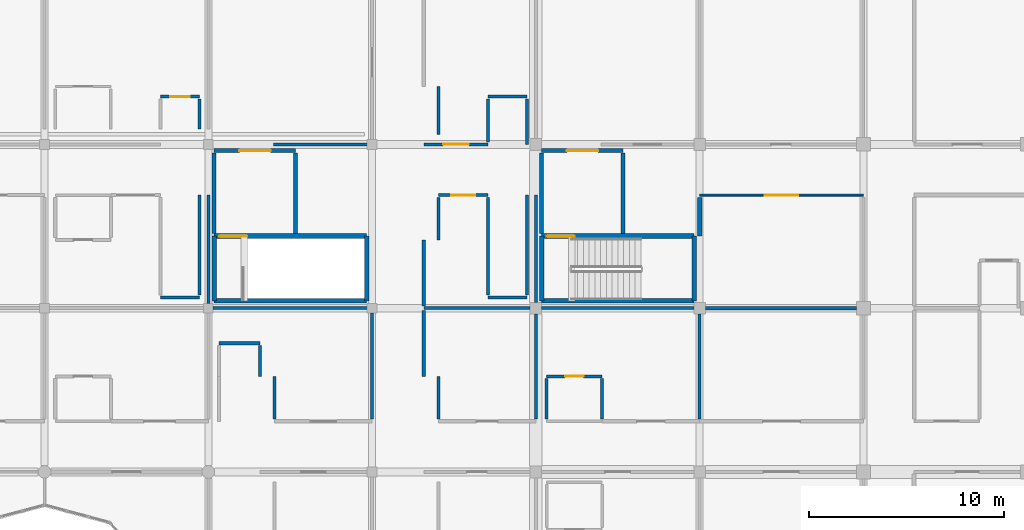
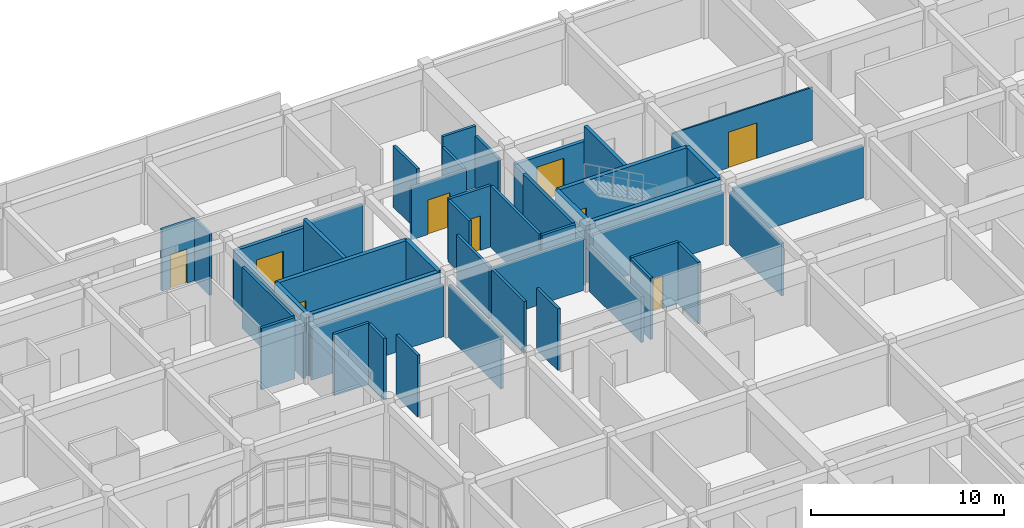
# One storey, part 88 of 119: 49 walls, 9 doors, 9 openings.
"""IFC4 building model written with IfcOpenShell, lengths in metres."""

import ifcopenshell
import ifcopenshell.guid

model = None  # the IFC model being written
_history = None  # IfcOwnerHistory: only IFC2X3 demands one
_inside = {}  # id of a spatial element -> (the spatial element, [elements in it])
_under = {}  # id of a project, library or spatial element -> (it, [spatial elements below it])
_declared = {}  # id of a project -> (the project, [libraries it declares])
_typed = {}  # id of a type object -> (the type object, [elements of that type])
_made_of = {}  # id of a material, layer set ... -> (it, [elements and type objects made of it])


def new_model(schema):
    """Start an empty IFC model of exactly this schema.

    Asked for "IFC4X3", IfcOpenShell would pick the latest addendum, in which some entities
    have other attributes; the version numbers below select the first issue.
    IFC2X3 requires an IfcOwnerHistory on every rooted entity: one is made here for all.
    """
    global model, _history
    if schema == "IFC4X3":
        model = ifcopenshell.file(schema_version=(4, 3, 0, 0))
    else:
        model = ifcopenshell.file(schema=schema)
    _inside.clear()
    _under.clear()
    _declared.clear()
    _typed.clear()
    _made_of.clear()
    _history = None
    if model.schema == "IFC2X3":
        org = make("IfcOrganization", Name="unknown")
        user = make(
            "IfcPersonAndOrganization",
            ThePerson=make("IfcPerson", FamilyName="unknown"),
            TheOrganization=org,
        )
        app = make(
            "IfcApplication",
            ApplicationDeveloper=org,
            Version="unknown",
            ApplicationFullName="unknown",
            ApplicationIdentifier="unknown",
        )
        _history = make(
            "IfcOwnerHistory",
            OwningUser=user,
            OwningApplication=app,
            ChangeAction="ADDED",
            CreationDate=0,
        )
    return model


def make(cls, **values):
    """One entity of the class cls with the attributes given. An attribute that is None is left unset."""
    return model.create_entity(
        cls, **{name: value for name, value in values.items() if value is not None}
    )


def rooted(cls, **values):
    """An entity with a GlobalId (a new one), such as an element, a storey or a relation."""
    return make(cls, GlobalId=ifcopenshell.guid.new(), OwnerHistory=_history, **values)


def si_unit(unit_type, name, prefix=None):
    """IfcSIUnit, for example si_unit("LENGTHUNIT", "METRE", prefix="MILLI")."""
    return make("IfcSIUnit", UnitType=unit_type, Prefix=prefix, Name=name)


def assignment(units):
    """IfcUnitAssignment: the units of a project."""
    return None if units is None else make("IfcUnitAssignment", Units=units)


def point(xyz):
    """IfcCartesianPoint."""
    return None if xyz is None else make("IfcCartesianPoint", Coordinates=xyz)


def direction(xyz):
    """IfcDirection."""
    return None if xyz is None else make("IfcDirection", DirectionRatios=xyz)


def frame(location, z_axis=None, x_axis=None):
    """IfcAxis2Placement3D, a coordinate frame: its origin and axes. An axis left out is left unset."""
    return make(
        "IfcAxis2Placement3D",
        Location=point(location),
        Axis=direction(z_axis),
        RefDirection=direction(x_axis),
    )


def frame_2d(location, x_axis=None):
    """IfcAxis2Placement2D, a coordinate frame in the plane: its origin and x axis."""
    return make(
        "IfcAxis2Placement2D", Location=point(location), RefDirection=direction(x_axis)
    )


def origin():
    """The frame at (0, 0, 0) with its axes left unset."""
    return frame((0.0, 0.0, 0.0))


def place(relative_to, where):
    """IfcLocalPlacement: puts the frame where relative to a parent placement (None: the world)."""
    return make(
        "IfcLocalPlacement", PlacementRelTo=relative_to, RelativePlacement=where
    )


def context(
    kind, dimensions, precision=None, world=None, true_north=None, identifier=None
):
    """IfcGeometricRepresentationContext, for example the 3D "Model" context."""
    return make(
        "IfcGeometricRepresentationContext",
        ContextIdentifier=identifier,
        ContextType=kind,
        CoordinateSpaceDimension=dimensions,
        Precision=precision,
        WorldCoordinateSystem=world,
        TrueNorth=true_north,
    )


def subcontext(parent, identifier, kind, view, scale=None):
    """IfcGeometricRepresentationSubContext, for example "Body" below "Model"."""
    return make(
        "IfcGeometricRepresentationSubContext",
        ContextIdentifier=identifier,
        ContextType=kind,
        ParentContext=parent,
        TargetScale=scale,
        TargetView=view,
    )


def project(units=None, contexts=None):
    """IfcProject with its units and contexts."""
    return rooted(
        "IfcProject",
        Name="project",
        RepresentationContexts=contexts,
        UnitsInContext=assignment(units),
    )


def spatial(cls, under=None, at=None, **own):
    """A site, building, storey or space (cls), placed at a placement, below another one or the project."""
    s = rooted(cls, ObjectPlacement=at, **own)
    if under is not None:
        _under.setdefault(under.id(), (under, []))[1].append(s)
    return s


def profile(cls, at=None, kind="AREA", **sizes):
    """A parametric profile (cls). Its sizes go by their IFC names, for example OverallWidth=200.0."""
    return make(cls, ProfileType=kind, Position=at, **sizes)


def rectangle(**sizes):
    """IfcRectangleProfileDef."""
    return profile("IfcRectangleProfileDef", **sizes)


def extrude(swept, where, along, depth):
    """IfcExtrudedAreaSolid: the profile swept, set in the frame where, extruded along a direction by depth."""
    return make(
        "IfcExtrudedAreaSolid",
        SweptArea=swept,
        Position=where,
        ExtrudedDirection=direction(along),
        Depth=depth,
    )


def shape(context_of_items, identifier, shape_type, items):
    """IfcShapeRepresentation: the items that make up one representation, for example the "Body"."""
    return make(
        "IfcShapeRepresentation",
        ContextOfItems=context_of_items,
        RepresentationIdentifier=identifier,
        RepresentationType=shape_type,
        Items=items,
    )


def material(Name=None, Category=None):
    """IfcMaterial."""
    return make("IfcMaterial", Name=Name, Category=Category)


def layer(
    of_material, thickness, ventilated=None, Name=None, Category=None, Priority=None
):
    """IfcMaterialLayer: one layer of a wall or slab, of a material (None: an air gap)."""
    return make(
        "IfcMaterialLayer",
        Material=of_material,
        LayerThickness=thickness,
        IsVentilated=ventilated,
        Name=Name,
        Category=Category,
        Priority=Priority,
    )


def layer_set(layers, Name=None):
    """IfcMaterialLayerSet."""
    return make("IfcMaterialLayerSet", MaterialLayers=layers, LayerSetName=Name)


def made_of(thing, what):
    """Note that an element or type object is made of a material, layer set ...; save() writes the relation."""
    if what is not None:
        _made_of.setdefault(what.id(), (what, []))[1].append(thing)
    return thing


def type_object(cls, material=None, **own):
    """A type object (cls), such as IfcWallType, which elements share."""
    return made_of(rooted(cls, **own), material)


def element(
    cls,
    number,
    at=None,
    inside=None,
    cuts=None,
    type_object=None,
    material=None,
    context=None,
    identifier="Body",
    shape_type=None,
    held_by="IfcProductDefinitionShape",
    body=None,
    shapes=None,
    **own,
):
    """One element of the class cls, such as IfcWall. Its Tag is "e" and its number.

    at: its placement. inside: the storey or other place that contains it. cuts: it is an
    opening in that element (IfcRelVoidsElement). A single representation is given by context,
    identifier, shape_type and body (its items); several are given by shapes. held_by: the class
    of the entity that holds the representations. save() writes the other relations.
    """
    e = rooted(cls, Tag="e%d" % number, ObjectPlacement=at, **own)
    if body is not None:
        shapes = [shape(context, identifier, shape_type, body)]
    if shapes is not None:
        e.Representation = make(held_by, Representations=shapes)
    if inside is not None:
        _inside.setdefault(inside.id(), (inside, []))[1].append(e)
    if cuts is not None:
        rooted(
            "IfcRelVoidsElement", RelatingBuildingElement=cuts, RelatedOpeningElement=e
        )
    if type_object is not None:
        _typed.setdefault(type_object.id(), (type_object, []))[1].append(e)
    return made_of(e, material)


def fill(opening, filler):
    """IfcRelFillsElement: the door or window that sits in an opening."""
    return rooted(
        "IfcRelFillsElement",
        RelatingOpeningElement=opening,
        RelatedBuildingElement=filler,
    )


def aggregate(whole, parts):
    """IfcRelAggregates: a whole, such as a stair, and the parts it consists of."""
    return rooted("IfcRelAggregates", RelatingObject=whole, RelatedObjects=parts)


def save(model, path):
    """Write the relations noted so far, then the file.

    IfcRelAggregates (storeys below a building ...), IfcRelContainedInSpatialStructure (elements
    in a storey), IfcRelDefinesByType, IfcRelAssociatesMaterial and IfcRelDeclares: one each for
    every whole, place, type object, material and project.
    """
    for whole, parts in _under.values():
        aggregate(whole, parts)
    for where, things in _inside.values():
        rooted(
            "IfcRelContainedInSpatialStructure",
            RelatedElements=things,
            RelatingStructure=where,
        )
    for kind, things in _typed.values():
        rooted("IfcRelDefinesByType", RelatedObjects=things, RelatingType=kind)
    for what, things in _made_of.values():
        rooted("IfcRelAssociatesMaterial", RelatedObjects=things, RelatingMaterial=what)
    for by, libraries in _declared.values():
        rooted("IfcRelDeclares", RelatingContext=by, RelatedDefinitions=libraries)
    model.write(path)


model = new_model("IFC4")

# Units and contexts
model_context = context("Model", 3, precision=1e-05, world=origin(), true_north=direction((0.0, 1.0)))
body_context = subcontext(model_context, "Body", "Model", "MODEL_VIEW")
ifc_project = project(units=[si_unit("LENGTHUNIT", "METRE"), si_unit("AREAUNIT", "SQUARE_METRE"), si_unit("VOLUMEUNIT", "CUBIC_METRE"), si_unit("PLANEANGLEUNIT", "RADIAN"), si_unit("MASSUNIT", "GRAM", prefix="KILO")], contexts=[model_context])

# Site, building, storey
site_placement = place(None, origin())
site = spatial("IfcSite", under=ifc_project, at=site_placement, CompositionType="ELEMENT")
building_placement = place(site_placement, origin())
building = spatial("IfcBuilding", under=site, at=building_placement, Name="Bramfleet General Hospital", CompositionType="ELEMENT")
storey_placement = place(building_placement, frame((0.0, 0.0, 14.39990234375)))
storey = spatial("IfcBuildingStorey", under=building, at=storey_placement, Name="L03", CompositionType="ELEMENT", Elevation=14.39990234375)

# Walls
ifc_material_1 = material(Name="Concrete C35/45", Category="concrete")
ifc_layer_1 = layer(ifc_material_1, 0.219970703125, Name="WT-IW-01")
ifc_layer_set_1 = layer_set([ifc_layer_1], Name="Concrete C35/45")
wall_type_1 = type_object("IfcWallType", Name="WT-IW-01", PredefinedType="PARTITIONING", material=ifc_layer_set_1)
wall_1_placement = place(storey_placement, frame((58.800048828125, 104.5, 0.0), z_axis=(0.0, 0.0, 1.0), x_axis=(0.0, 1.0, 0.0)))
element("IfcWall", 1, at=wall_1_placement, inside=storey, type_object=wall_type_1, Name="L03 Interior Partition IW-L03-2881", PredefinedType="PARTITIONING", context=body_context, shape_type="SweptSolid", body=[
    extrude(rectangle(XDim=1.985107421875, YDim=0.219970703125, at=frame_2d((0.99267578125, 0.0))), origin(), (0.0, 0.0, 1.0), 3.340087890625),
])
ifc_layer_2 = layer(ifc_material_1, 0.205078125, Name="WT-IW-02")
ifc_layer_set_2 = layer_set([ifc_layer_2], Name="Concrete C35/45")
wall_type_2 = type_object("IfcWallType", Name="WT-IW-02", PredefinedType="PARTITIONING", material=ifc_layer_set_2)
wall_2_placement = place(storey_placement, frame((38.080078125, 104.639892578125, 0.0), z_axis=(0.0, 0.0, 1.0), x_axis=(0.0, 1.0, 0.0)))
element("IfcWall", 2, at=wall_2_placement, inside=storey, type_object=wall_type_2, Name="L03 C8 Lobby East Shaft Wall", PredefinedType="PARTITIONING", context=body_context, shape_type="SweptSolid", body=[
    extrude(rectangle(XDim=4.1201171875, YDim=0.205078125, at=frame_2d((2.06005859375, 0.0))), origin(), (0.0, 0.0, 1.0), 3.89013671875),
])
wall_3_placement = place(storey_placement, frame((33.89990234375, 104.639892578125, 0.0), z_axis=(0.0, 0.0, 1.0), x_axis=(0.0, 1.0, 0.0)))
element("IfcWall", 3, at=wall_3_placement, inside=storey, type_object=wall_type_2, Name="L03 C8 Lobby West Compartment Wall", PredefinedType="PARTITIONING", context=body_context, shape_type="SweptSolid", body=[
    extrude(rectangle(XDim=4.1201171875, YDim=0.205078125, at=frame_2d((2.06005859375, 0.0))), origin(), (0.0, 0.0, 1.0), 3.330078125),
])

# Wall, opening, door
wall_4_placement = place(storey_placement, frame((33.89990234375, 108.8798828125, 0.0), z_axis=(0.0, 0.0, 1.0), x_axis=(1.0, 0.0, 0.0)))
wall_4 = element("IfcWall", 4, at=wall_4_placement, inside=storey, type_object=wall_type_2, Name="L03 C8 Lobby North Compartment Wall", PredefinedType="PARTITIONING", context=body_context, shape_type="SweptSolid", body=[
    extrude(rectangle(XDim=4.18017578125, YDim=0.205078125, at=frame_2d((2.090087890625, 0.0))), origin(), (0.0, 0.0, 1.0), 3.280029296875),
])
opening_1_placement = place(wall_4_placement, frame((1.2900390625, 0.0, 0.0)))
opening_1 = element("IfcOpeningElement", 5, at=opening_1_placement, cuts=wall_4, Name="Opening D0106", PredefinedType="OPENING", context=body_context, shape_type="SweptSolid", body=[
    extrude(rectangle(XDim=1.60009765625, YDim=2.25, at=frame_2d((0.800048828125, 1.125))), frame((0.0, 0.112548828125, 0.0), z_axis=(0.0, -1.0, 0.0), x_axis=(1.0, 0.0, 0.0)), (0.0, 0.0, 1.0), 0.22509765625),
])
ifc_material_2 = material(Name="Stainless steel and acoustic timber leaf", Category="steel")
door_type_1 = type_object("IfcDoorType", Name="DR-D-04", OperationType="NOTDEFINED", PredefinedType="DOOR", material=ifc_material_2)
door_1_placement = place(opening_1_placement, origin())
door_1 = element("IfcDoor", 6, at=door_1_placement, inside=storey, type_object=door_type_1, Name="L03 C8 Lobby Fire Door D0106", OperationType="DOUBLE_SWING_LEFT", OverallHeight=2.25, OverallWidth=1.60009765625, PredefinedType="DOOR", context=body_context, shape_type="SweptSolid", body=[
    extrude(rectangle(XDim=1.60009765625, YDim=2.25, at=frame_2d((0.800048828125, 1.125))), frame((0.0, 0.02490234375, 0.0), z_axis=(0.0, -1.0, 0.0), x_axis=(1.0, 0.0, 0.0)), (0.0, 0.0, 1.0), 0.050048828125),
])
fill(opening_1, door_1)

# Walls
wall_5_placement = place(storey_placement, frame((54.8798828125, 104.639892578125, 0.0), z_axis=(0.0, 0.0, 1.0), x_axis=(0.0, 1.0, 0.0)))
element("IfcWall", 7, at=wall_5_placement, inside=storey, type_object=wall_type_2, Name="L03 C14 Lobby East Shaft Wall", PredefinedType="PARTITIONING", context=body_context, shape_type="SweptSolid", body=[
    extrude(rectangle(XDim=4.1201171875, YDim=0.205078125, at=frame_2d((2.06005859375, 0.0))), origin(), (0.0, 0.0, 1.0), 3.89013671875),
])
wall_6_placement = place(storey_placement, frame((50.699951171875, 104.639892578125, 0.0), z_axis=(0.0, 0.0, 1.0), x_axis=(0.0, 1.0, 0.0)))
element("IfcWall", 8, at=wall_6_placement, inside=storey, type_object=wall_type_2, Name="L03 C14 Lobby West Compartment Wall", PredefinedType="PARTITIONING", context=body_context, shape_type="SweptSolid", body=[
    extrude(rectangle(XDim=4.1201171875, YDim=0.205078125, at=frame_2d((2.06005859375, 0.0))), origin(), (0.0, 0.0, 1.0), 2.89013671875),
])

# Wall, opening, door
wall_7_placement = place(storey_placement, frame((50.699951171875, 108.8798828125, 0.0), z_axis=(0.0, 0.0, 1.0), x_axis=(1.0, 0.0, 0.0)))
wall_7 = element("IfcWall", 9, at=wall_7_placement, inside=storey, type_object=wall_type_2, Name="L03 C14 Lobby North Compartment Wall", PredefinedType="PARTITIONING", context=body_context, shape_type="SweptSolid", body=[
    extrude(rectangle(XDim=4.179931640625, YDim=0.205078125, at=frame_2d((2.08984375, 0.0))), origin(), (0.0, 0.0, 1.0), 2.89013671875),
])
opening_2_placement = place(wall_7_placement, frame((1.2900390625, 0.0, 0.0)))
opening_2 = element("IfcOpeningElement", 10, at=opening_2_placement, cuts=wall_7, Name="Opening D0184", PredefinedType="OPENING", context=body_context, shape_type="SweptSolid", body=[
    extrude(rectangle(XDim=1.60009765625, YDim=2.25, at=frame_2d((0.800048828125, 1.125))), frame((0.0, 0.112548828125, 0.0), z_axis=(0.0, -1.0, 0.0), x_axis=(1.0, 0.0, 0.0)), (0.0, 0.0, 1.0), 0.22509765625),
])
door_2_placement = place(opening_2_placement, origin())
door_2 = element("IfcDoor", 11, at=door_2_placement, inside=storey, type_object=door_type_1, Name="L03 C14 Lobby Fire Door D0184", OperationType="DOUBLE_SWING_LEFT", OverallHeight=2.25, OverallWidth=1.60009765625, PredefinedType="DOOR", context=body_context, shape_type="SweptSolid", body=[
    extrude(rectangle(XDim=1.60009765625, YDim=2.25, at=frame_2d((0.800048828125, 1.125))), frame((0.0, 0.02490234375, 0.0), z_axis=(0.0, -1.0, 0.0), x_axis=(1.0, 0.0, 0.0)), (0.0, 0.0, 1.0), 0.050048828125),
])
fill(opening_2, door_2)

# Wall
ifc_layer_3 = layer(ifc_material_1, 0.179931640625, Name="WT-IW-04")
ifc_layer_set_3 = layer_set([ifc_layer_3], Name="Concrete C35/45")
wall_type_3 = type_object("IfcWallType", Name="WT-IW-04", PredefinedType="PARTITIONING", material=ifc_layer_set_3)
wall_8_placement = place(storey_placement, frame((59.094970703125, 100.800048828125, 0.0), z_axis=(0.0, 0.0, 1.0), x_axis=(1.0, 0.0, 0.0)))
element("IfcWall", 12, at=wall_8_placement, inside=storey, type_object=wall_type_3, Name="L03 Interior Partition IW-L03-2692", PredefinedType="PARTITIONING", context=body_context, shape_type="SweptSolid", body=[
    extrude(rectangle(XDim=7.760009765625, YDim=0.179931640625, at=frame_2d((3.8798828125, 0.0))), origin(), (0.0, 0.0, 1.0), 3.2900390625),
])

# Wall, opening, door
ifc_material_3 = material(Name="Gypsum plasterboard on acoustic steel studs", Category="steel")
ifc_layer_4 = layer(ifc_material_3, 0.159912109375, Name="WT-IW-06")
ifc_layer_set_4 = layer_set([ifc_layer_4], Name="Gypsum plasterboard on acoustic steel studs")
wall_type_4 = type_object("IfcWallType", Name="WT-IW-06", PredefinedType="PARTITIONING", material=ifc_layer_set_4)
wall_9_placement = place(storey_placement, frame((50.949951171875, 97.300048828125, 0.0), z_axis=(0.0, 0.0, 1.0), x_axis=(1.0, 0.0, 0.0)))
wall_9 = element("IfcWall", 13, at=wall_9_placement, inside=storey, type_object=wall_type_4, Name="L03 Interior Partition IW-L03-2683", PredefinedType="PARTITIONING", context=body_context, shape_type="SweptSolid", body=[
    extrude(rectangle(XDim=2.85009765625, YDim=0.159912109375, at=frame_2d((1.425048828125, 0.0))), origin(), (0.0, 0.0, 1.0), 3.89013671875),
])
opening_3_placement = place(wall_9_placement, frame((0.949951171875, 0.0, 0.0)))
opening_3 = element("IfcOpeningElement", 14, at=opening_3_placement, cuts=wall_9, Name="Opening D1088", PredefinedType="OPENING", context=body_context, shape_type="SweptSolid", body=[
    extrude(rectangle(XDim=0.949951171875, YDim=2.10009765625, at=frame_2d((0.47509765625, 1.050048828125))), frame((0.0, 0.08984375, 0.0), z_axis=(0.0, -1.0, 0.0), x_axis=(1.0, 0.0, 0.0)), (0.0, 0.0, 1.0), 0.179931640625),
])
door_type_2 = type_object("IfcDoorType", Name="DR-D-10", OperationType="NOTDEFINED", PredefinedType="DOOR", material=ifc_material_2)
door_3_placement = place(opening_3_placement, origin())
door_3 = element("IfcDoor", 15, at=door_3_placement, inside=storey, type_object=door_type_2, Name="Neonatal Family En-Suite WC L03-0611 Door D1088", OperationType="SINGLE_SWING_LEFT", OverallHeight=2.10009765625, OverallWidth=0.949951171875, PredefinedType="DOOR", context=body_context, shape_type="SweptSolid", body=[
    extrude(rectangle(XDim=0.949951171875, YDim=2.10009765625, at=frame_2d((0.47509765625, 1.050048828125))), frame((0.0, 0.02490234375, 0.0), z_axis=(0.0, -1.0, 0.0), x_axis=(1.0, 0.0, 0.0)), (0.0, 0.0, 1.0), 0.050048828125),
])
fill(opening_3, door_3)

# Walls
wall_10_placement = place(storey_placement, frame((34.14990234375, 99.0, 0.0), z_axis=(0.0, 0.0, 1.0), x_axis=(1.0, 0.0, 0.0)))
element("IfcWall", 16, at=wall_10_placement, inside=storey, type_object=wall_type_4, Name="L03 Interior Partition IW-L03-2684", PredefinedType="PARTITIONING", context=body_context, shape_type="SweptSolid", body=[
    extrude(rectangle(XDim=2.10009765625, YDim=0.159912109375, at=frame_2d((1.050048828125, 0.0))), origin(), (0.0, 0.0, 1.0), 3.89013671875),
])
wall_11_placement = place(storey_placement, frame((33.844970703125, 100.800048828125, 0.0), z_axis=(0.0, 0.0, 1.0), x_axis=(1.0, 0.0, 0.0)))
element("IfcWall", 17, at=wall_11_placement, inside=storey, type_object=wall_type_4, Name="L03 Interior Partition IW-L03-2689", PredefinedType="PARTITIONING", context=body_context, shape_type="SweptSolid", body=[
    extrude(rectangle(XDim=7.909912109375, YDim=0.159912109375, at=frame_2d((3.955078125, 0.0))), origin(), (0.0, 0.0, 1.0), 3.280029296875),
])
wall_12_placement = place(storey_placement, frame((44.64990234375, 100.800048828125, 0.0), z_axis=(0.0, 0.0, 1.0), x_axis=(1.0, 0.0, 0.0)))
element("IfcWall", 18, at=wall_12_placement, inside=storey, type_object=wall_type_4, Name="L03 Interior Partition IW-L03-2690", PredefinedType="PARTITIONING", context=body_context, shape_type="SweptSolid", body=[
    extrude(rectangle(XDim=5.455078125, YDim=0.159912109375, at=frame_2d((2.7275390625, 0.0))), origin(), (0.0, 0.0, 1.0), 3.2900390625),
])
wall_13_placement = place(storey_placement, frame((50.695068359375, 100.800048828125, 0.0), z_axis=(0.0, 0.0, 1.0), x_axis=(1.0, 0.0, 0.0)))
element("IfcWall", 19, at=wall_13_placement, inside=storey, type_object=wall_type_4, Name="L03 Interior Partition IW-L03-2691", PredefinedType="PARTITIONING", context=body_context, shape_type="SweptSolid", body=[
    extrude(rectangle(XDim=7.809814453125, YDim=0.159912109375, at=frame_2d((3.90478515625, 0.0))), origin(), (0.0, 0.0, 1.0), 3.2900390625),
])
for number, where, z_axis, x_axis, name in (
    (20, (31.14990234375, 101.35009765625, 0.0), (0.0, 0.0, 1.0), (1.0, 0.0, 0.0), "L03 Interior Partition IW-L03-2705"),
    (21, (47.949951171875, 101.35009765625, 0.0), (0.0, 0.0, 1.0), (1.0, 0.0, 0.0), "L03 Interior Partition IW-L03-2706"),
):
    element("IfcWall", number, at=place(storey_placement, frame(where, z_axis=z_axis, x_axis=x_axis)), inside=storey, type_object=wall_type_4, Name=name, PredefinedType="PARTITIONING", context=body_context, shape_type="SweptSolid", body=[
        extrude(rectangle(XDim=2.0, YDim=0.159912109375, at=frame_2d((1.0, 0.0))), origin(), (0.0, 0.0, 1.0), 3.89013671875),
    ])

# Wall, opening, door
wall_14_placement = place(storey_placement, frame((45.39990234375, 106.60009765625, 0.0), z_axis=(0.0, 0.0, 1.0), x_axis=(1.0, 0.0, 0.0)))
wall_14 = element("IfcWall", 22, at=wall_14_placement, inside=storey, type_object=wall_type_4, Name="L03 Interior Partition IW-L03-2723", PredefinedType="PARTITIONING", context=body_context, shape_type="SweptSolid", body=[
    extrude(rectangle(XDim=2.550048828125, YDim=0.159912109375, at=frame_2d((1.27490234375, 0.0))), origin(), (0.0, 0.0, 1.0), 3.89013671875),
])
opening_4_placement = place(wall_14_placement, frame((0.6650390625, 0.0, 0.0)))
opening_4 = element("IfcOpeningElement", 23, at=opening_4_placement, cuts=wall_14, Name="Opening D1079", PredefinedType="OPENING", context=body_context, shape_type="SweptSolid", body=[
    extrude(rectangle(XDim=1.219970703125, YDim=2.179931640625, at=frame_2d((0.60986328125, 1.08984375))), frame((0.0, 0.08984375, 0.0), z_axis=(0.0, -1.0, 0.0), x_axis=(1.0, 0.0, 0.0)), (0.0, 0.0, 1.0), 0.179931640625),
])
door_type_3 = type_object("IfcDoorType", Name="DR-D-23", OperationType="NOTDEFINED", PredefinedType="DOOR", material=ifc_material_2)
door_4_placement = place(opening_4_placement, origin())
door_4 = element("IfcDoor", 24, at=door_4_placement, inside=storey, type_object=door_type_3, Name="Neonatal Intensive Care Ward L03-0512 Door D1079", OperationType="SINGLE_SWING_RIGHT", OverallHeight=2.179931640625, OverallWidth=1.219970703125, PredefinedType="DOOR", context=body_context, shape_type="SweptSolid", body=[
    extrude(rectangle(XDim=1.219970703125, YDim=2.179931640625, at=frame_2d((0.60986328125, 1.08984375))), frame((0.0, 0.02490234375, 0.0), z_axis=(0.0, -1.0, 0.0), x_axis=(1.0, 0.0, 0.0)), (0.0, 0.0, 1.0), 0.050048828125),
])
fill(opening_4, door_4)

# Wall
wall_15_placement = place(storey_placement, frame((36.949951171875, 109.199951171875, 0.0), z_axis=(0.0, 0.0, 1.0), x_axis=(1.0, 0.0, 0.0)))
element("IfcWall", 25, at=wall_15_placement, inside=storey, type_object=wall_type_4, Name="L03 Interior Partition IW-L03-2739", PredefinedType="PARTITIONING", context=body_context, shape_type="SweptSolid", body=[
    extrude(rectangle(XDim=4.804931640625, YDim=0.159912109375, at=frame_2d((2.40234375, 0.0))), origin(), (0.0, 0.0, 1.0), 3.280029296875),
])

# Wall, opening, door
wall_16_placement = place(storey_placement, frame((44.64990234375, 109.199951171875, 0.0), z_axis=(0.0, 0.0, 1.0), x_axis=(1.0, 0.0, 0.0)))
wall_16 = element("IfcWall", 26, at=wall_16_placement, inside=storey, type_object=wall_type_4, Name="L03 Interior Partition IW-L03-2740", PredefinedType="PARTITIONING", context=body_context, shape_type="SweptSolid", body=[
    extrude(rectangle(XDim=3.300048828125, YDim=0.159912109375, at=frame_2d((1.64990234375, 0.0))), origin(), (0.0, 0.0, 1.0), 3.2900390625),
])
opening_5_placement = place(wall_16_placement, frame((0.989990234375, 0.0, 0.0)))
opening_5 = element("IfcOpeningElement", 27, at=opening_5_placement, cuts=wall_16, Name="Opening D1080", PredefinedType="OPENING", context=body_context, shape_type="SweptSolid", body=[
    extrude(rectangle(XDim=1.320068359375, YDim=2.179931640625, at=frame_2d((0.66015625, 1.08984375))), frame((0.0, 0.08984375, 0.0), z_axis=(0.0, -1.0, 0.0), x_axis=(1.0, 0.0, 0.0)), (0.0, 0.0, 1.0), 0.179931640625),
])
door_type_4 = type_object("IfcDoorType", Name="DR-D-24", OperationType="NOTDEFINED", PredefinedType="DOOR", material=ifc_material_2)
door_5_placement = place(opening_5_placement, origin())
door_5 = element("IfcDoor", 28, at=door_5_placement, inside=storey, type_object=door_type_4, Name="Neonatal Intensive Care Ward L03-0513 Door D1080", OperationType="SINGLE_SWING_LEFT", OverallHeight=2.179931640625, OverallWidth=1.320068359375, PredefinedType="DOOR", context=body_context, shape_type="SweptSolid", body=[
    extrude(rectangle(XDim=1.320068359375, YDim=2.179931640625, at=frame_2d((0.66015625, 1.08984375))), frame((0.0, 0.02490234375, 0.0), z_axis=(0.0, -1.0, 0.0), x_axis=(1.0, 0.0, 0.0)), (0.0, 0.0, 1.0), 0.050048828125),
])
fill(opening_5, door_5)

wall_17_placement = place(storey_placement, frame((31.14990234375, 111.64990234375, 0.0), z_axis=(0.0, 0.0, 1.0), x_axis=(1.0, 0.0, 0.0)))
wall_17 = element("IfcWall", 29, at=wall_17_placement, inside=storey, type_object=wall_type_4, Name="L03 Interior Partition IW-L03-2752", PredefinedType="PARTITIONING", context=body_context, shape_type="SweptSolid", body=[
    extrude(rectangle(XDim=2.0, YDim=0.159912109375, at=frame_2d((1.0, 0.0))), origin(), (0.0, 0.0, 1.0), 3.89013671875),
])
opening_6_placement = place(wall_17_placement, frame((0.5, 0.0, 0.0)))
opening_6 = element("IfcOpeningElement", 30, at=opening_6_placement, cuts=wall_17, Name="Opening D1064", PredefinedType="OPENING", context=body_context, shape_type="SweptSolid", body=[
    extrude(rectangle(XDim=1.0, YDim=2.14990234375, at=frame_2d((0.5, 1.074951171875))), frame((0.0, 0.08984375, 0.0), z_axis=(0.0, -1.0, 0.0), x_axis=(1.0, 0.0, 0.0)), (0.0, 0.0, 1.0), 0.179931640625),
])
door_type_5 = type_object("IfcDoorType", Name="DR-D-08", OperationType="NOTDEFINED", PredefinedType="DOOR", material=ifc_material_2)
door_6_placement = place(opening_6_placement, origin())
door_6 = element("IfcDoor", 31, at=door_6_placement, inside=storey, type_object=door_type_5, Name="Neonatal Intensive Care Ward L03-0313 Door D1064", OperationType="SINGLE_SWING_LEFT", OverallHeight=2.14990234375, OverallWidth=1.0, PredefinedType="DOOR", context=body_context, shape_type="SweptSolid", body=[
    extrude(rectangle(XDim=1.0, YDim=2.14990234375, at=frame_2d((0.5, 1.074951171875))), frame((0.0, 0.02490234375, 0.0), z_axis=(0.0, -1.0, 0.0), x_axis=(1.0, 0.0, 0.0)), (0.0, 0.0, 1.0), 0.050048828125),
])
fill(opening_6, door_6)

# Walls
wall_18_placement = place(storey_placement, frame((47.949951171875, 111.64990234375, 0.0), z_axis=(0.0, 0.0, 1.0), x_axis=(1.0, 0.0, 0.0)))
element("IfcWall", 32, at=wall_18_placement, inside=storey, type_object=wall_type_4, Name="L03 Interior Partition IW-L03-2753", PredefinedType="PARTITIONING", context=body_context, shape_type="SweptSolid", body=[
    extrude(rectangle(XDim=2.0, YDim=0.159912109375, at=frame_2d((1.0, 0.0))), origin(), (0.0, 0.0, 1.0), 3.89013671875),
])
wall_19_placement = place(storey_placement, frame((33.14990234375, 101.465087890625, 0.0), z_axis=(0.0, 0.0, 1.0), x_axis=(0.0, 1.0, 0.0)))
element("IfcWall", 33, at=wall_19_placement, inside=storey, type_object=wall_type_4, Name="L03 Interior Partition IW-L03-2820", PredefinedType="PARTITIONING", context=body_context, shape_type="SweptSolid", body=[
    extrude(rectangle(XDim=5.135009765625, YDim=0.159912109375, at=frame_2d((2.5673828125, 0.0))), origin(), (0.0, 0.0, 1.0), 3.89013671875),
])
wall_20_placement = place(storey_placement, frame((33.14990234375, 109.9951171875, 0.0), z_axis=(0.0, 0.0, 1.0), x_axis=(0.0, 1.0, 0.0)))
element("IfcWall", 34, at=wall_20_placement, inside=storey, type_object=wall_type_4, Name="L03 Interior Partition IW-L03-2821", PredefinedType="PARTITIONING", context=body_context, shape_type="SweptSolid", body=[
    extrude(rectangle(XDim=1.539794921875, YDim=0.159912109375, at=frame_2d((0.77001953125, 0.0))), origin(), (0.0, 0.0, 1.0), 3.89013671875),
])
wall_21_placement = place(storey_placement, frame((33.60009765625, 101.044921875, 0.0), z_axis=(0.0, 0.0, 1.0), x_axis=(0.0, 1.0, 0.0)))
element("IfcWall", 35, at=wall_21_placement, inside=storey, type_object=wall_type_4, Name="L03 Interior Partition IW-L03-2828", PredefinedType="PARTITIONING", context=body_context, shape_type="SweptSolid", body=[
    extrude(rectangle(XDim=5.55517578125, YDim=0.159912109375, at=frame_2d((2.777587890625, 0.0))), origin(), (0.0, 0.0, 1.0), 3.330078125),
])
wall_22_placement = place(storey_placement, frame((36.25, 97.300048828125, 0.0), z_axis=(0.0, 0.0, 1.0), x_axis=(0.0, 1.0, 0.0)))
element("IfcWall", 36, at=wall_22_placement, inside=storey, type_object=wall_type_4, Name="L03 Interior Partition IW-L03-2837", PredefinedType="PARTITIONING", context=body_context, shape_type="SweptSolid", body=[
    extrude(rectangle(XDim=1.5849609375, YDim=0.159912109375, at=frame_2d((0.79248046875, 0.0))), origin(), (0.0, 0.0, 1.0), 3.89013671875),
])
wall_23_placement = place(storey_placement, frame((37.0, 95.114990234375, 0.0), z_axis=(0.0, 0.0, 1.0), x_axis=(0.0, 1.0, 0.0)))
element("IfcWall", 37, at=wall_23_placement, inside=storey, type_object=wall_type_4, Name="L03 Interior Partition IW-L03-2839", PredefinedType="PARTITIONING", context=body_context, shape_type="SweptSolid", body=[
    extrude(rectangle(XDim=2.18505859375, YDim=0.159912109375, at=frame_2d((1.092529296875, 0.0))), origin(), (0.0, 0.0, 1.0), 3.89013671875),
])
wall_24_placement = place(storey_placement, frame((42.0, 95.114990234375, 0.0), z_axis=(0.0, 0.0, 1.0), x_axis=(0.0, 1.0, 0.0)))
element("IfcWall", 38, at=wall_24_placement, inside=storey, type_object=wall_type_4, Name="L03 Interior Partition IW-L03-2845", PredefinedType="PARTITIONING", context=body_context, shape_type="SweptSolid", body=[
    extrude(rectangle(XDim=5.43994140625, YDim=0.159912109375, at=frame_2d((2.719970703125, 0.0))), origin(), (0.0, 0.0, 1.0), 3.330078125),
])
for number, where, z_axis, x_axis, name in (
    (39, (44.64990234375, 97.300048828125, 0.0), (0.0, 0.0, 1.0), (0.0, 1.0, 0.0), "L03 Interior Partition IW-L03-2851"),
    (40, (44.64990234375, 100.9150390625, 0.0), (0.0, 0.0, 1.0), (0.0, 1.0, 0.0), "L03 Interior Partition IW-L03-2852"),
):
    element("IfcWall", number, at=place(storey_placement, frame(where, z_axis=z_axis, x_axis=x_axis)), inside=storey, type_object=wall_type_4, Name=name, PredefinedType="PARTITIONING", context=body_context, shape_type="SweptSolid", body=[
        extrude(rectangle(XDim=3.385009765625, YDim=0.159912109375, at=frame_2d((1.6923828125, 0.0))), origin(), (0.0, 0.0, 1.0), 3.2900390625),
    ])
for number, where, z_axis, x_axis, name in (
    (41, (45.39990234375, 95.114990234375, 0.0), (0.0, 0.0, 1.0), (0.0, 1.0, 0.0), "L03 Interior Partition IW-L03-2855"),
    (42, (45.39990234375, 104.300048828125, 0.0), (0.0, 0.0, 1.0), (0.0, 1.0, 0.0), "L03 Interior Partition IW-L03-2856"),
):
    element("IfcWall", number, at=place(storey_placement, frame(where, z_axis=z_axis, x_axis=x_axis)), inside=storey, type_object=wall_type_4, Name=name, PredefinedType="PARTITIONING", context=body_context, shape_type="SweptSolid", body=[
        extrude(rectangle(XDim=2.18505859375, YDim=0.159912109375, at=frame_2d((1.092529296875, 0.0))), origin(), (0.0, 0.0, 1.0), 3.89013671875),
    ])
wall_25_placement = place(storey_placement, frame((45.39990234375, 109.719970703125, 0.0), z_axis=(0.0, 0.0, 1.0), x_axis=(0.0, 1.0, 0.0)))
element("IfcWall", 43, at=wall_25_placement, inside=storey, type_object=wall_type_4, Name="L03 Interior Partition IW-L03-2857", PredefinedType="PARTITIONING", context=body_context, shape_type="SweptSolid", body=[
    extrude(rectangle(XDim=2.449951171875, YDim=0.159912109375, at=frame_2d((1.22509765625, 0.0))), origin(), (0.0, 0.0, 1.0), 3.89013671875),
])
wall_26_placement = place(storey_placement, frame((47.949951171875, 101.465087890625, 0.0), z_axis=(0.0, 0.0, 1.0), x_axis=(0.0, 1.0, 0.0)))
element("IfcWall", 44, at=wall_26_placement, inside=storey, type_object=wall_type_4, Name="L03 Interior Partition IW-L03-2858", PredefinedType="PARTITIONING", context=body_context, shape_type="SweptSolid", body=[
    extrude(rectangle(XDim=5.02001953125, YDim=0.159912109375, at=frame_2d((2.510009765625, 0.0))), origin(), (0.0, 0.0, 1.0), 3.89013671875),
])
wall_27_placement = place(storey_placement, frame((47.949951171875, 109.31494140625, 0.0), z_axis=(0.0, 0.0, 1.0), x_axis=(0.0, 1.0, 0.0)))
element("IfcWall", 45, at=wall_27_placement, inside=storey, type_object=wall_type_4, Name="L03 Interior Partition IW-L03-2859", PredefinedType="PARTITIONING", context=body_context, shape_type="SweptSolid", body=[
    extrude(rectangle(XDim=2.219970703125, YDim=0.159912109375, at=frame_2d((1.10986328125, 0.0))), origin(), (0.0, 0.0, 1.0), 3.2900390625),
])
wall_28_placement = place(storey_placement, frame((49.949951171875, 101.465087890625, 0.0), z_axis=(0.0, 0.0, 1.0), x_axis=(0.0, 1.0, 0.0)))
element("IfcWall", 46, at=wall_28_placement, inside=storey, type_object=wall_type_4, Name="L03 Interior Partition IW-L03-2860", PredefinedType="PARTITIONING", context=body_context, shape_type="SweptSolid", body=[
    extrude(rectangle(XDim=5.135009765625, YDim=0.159912109375, at=frame_2d((2.5673828125, 0.0))), origin(), (0.0, 0.0, 1.0), 3.89013671875),
])
wall_29_placement = place(storey_placement, frame((49.949951171875, 109.199951171875, 0.0), z_axis=(0.0, 0.0, 1.0), x_axis=(0.0, 1.0, 0.0)))
element("IfcWall", 47, at=wall_29_placement, inside=storey, type_object=wall_type_4, Name="L03 Interior Partition IW-L03-2861", PredefinedType="PARTITIONING", context=body_context, shape_type="SweptSolid", body=[
    extrude(rectangle(XDim=2.3349609375, YDim=0.159912109375, at=frame_2d((1.16748046875, 0.0))), origin(), (0.0, 0.0, 1.0), 3.2900390625),
])
wall_30_placement = place(storey_placement, frame((50.39990234375, 95.114990234375, 0.0), z_axis=(0.0, 0.0, 1.0), x_axis=(0.0, 1.0, 0.0)))
element("IfcWall", 48, at=wall_30_placement, inside=storey, type_object=wall_type_4, Name="L03 Interior Partition IW-L03-2866", PredefinedType="PARTITIONING", context=body_context, shape_type="SweptSolid", body=[
    extrude(rectangle(XDim=5.389892578125, YDim=0.159912109375, at=frame_2d((2.69482421875, 0.0))), origin(), (0.0, 0.0, 1.0), 2.89013671875),
])
wall_31_placement = place(storey_placement, frame((50.39990234375, 101.094970703125, 0.0), z_axis=(0.0, 0.0, 1.0), x_axis=(0.0, 1.0, 0.0)))
element("IfcWall", 49, at=wall_31_placement, inside=storey, type_object=wall_type_4, Name="L03 Interior Partition IW-L03-2867", PredefinedType="PARTITIONING", context=body_context, shape_type="SweptSolid", body=[
    extrude(rectangle(XDim=5.505126953125, YDim=0.159912109375, at=frame_2d((2.75244140625, 0.0))), origin(), (0.0, 0.0, 1.0), 2.89013671875),
])
for number, where, z_axis, x_axis, name in (
    (50, (50.949951171875, 95.114990234375, 0.0), (0.0, 0.0, 1.0), (0.0, 1.0, 0.0), "L03 Interior Partition IW-L03-2870"),
    (51, (53.800048828125, 95.114990234375, 0.0), (0.0, 0.0, 1.0), (0.0, 1.0, 0.0), "L03 Interior Partition IW-L03-2872"),
):
    element("IfcWall", number, at=place(storey_placement, frame(where, z_axis=z_axis, x_axis=x_axis)), inside=storey, type_object=wall_type_4, Name=name, PredefinedType="PARTITIONING", context=body_context, shape_type="SweptSolid", body=[
        extrude(rectangle(XDim=2.070068359375, YDim=0.159912109375, at=frame_2d((1.03515625, 0.0))), origin(), (0.0, 0.0, 1.0), 3.89013671875),
    ])
wall_32_placement = place(storey_placement, frame((58.800048828125, 95.114990234375, 0.0), z_axis=(0.0, 0.0, 1.0), x_axis=(0.0, 1.0, 0.0)))
element("IfcWall", 52, at=wall_32_placement, inside=storey, type_object=wall_type_4, Name="L03 Interior Partition IW-L03-2880", PredefinedType="PARTITIONING", context=body_context, shape_type="SweptSolid", body=[
    extrude(rectangle(XDim=5.389892578125, YDim=0.159912109375, at=frame_2d((2.69482421875, 0.0))), origin(), (0.0, 0.0, 1.0), 3.340087890625),
])

# Wall, opening, door
ifc_layer_5 = layer(ifc_material_3, 0.10009765625, Name="WT-IW-12")
ifc_layer_set_5 = layer_set([ifc_layer_5], Name="Gypsum plasterboard on acoustic steel studs")
wall_type_5 = type_object("IfcWallType", Name="WT-IW-12", PredefinedType="PARTITIONING", material=ifc_layer_set_5)
wall_33_placement = place(storey_placement, frame((58.800048828125, 106.60009765625, 0.0), z_axis=(0.0, 0.0, 1.0), x_axis=(1.0, 0.0, 0.0)))
wall_33 = element("IfcWall", 53, at=wall_33_placement, inside=storey, type_object=wall_type_5, Name="L03 Interior Partition IW-L03-2724", PredefinedType="PARTITIONING", context=body_context, shape_type="SweptSolid", body=[
    extrude(rectangle(XDim=8.39990234375, YDim=0.10009765625, at=frame_2d((4.199951171875, 0.0))), origin(), (0.0, 0.0, 1.0), 3.340087890625),
])
opening_7_placement = place(wall_33_placement, frame((3.35009765625, 0.0, 0.0)))
opening_7 = element("IfcOpeningElement", 54, at=opening_7_placement, cuts=wall_33, Name="Opening D1095", PredefinedType="OPENING", context=body_context, shape_type="SweptSolid", body=[
    extrude(rectangle(XDim=1.699951171875, YDim=2.25, at=frame_2d((0.85009765625, 1.125))), frame((0.0, 0.06005859375, 0.0), z_axis=(0.0, -1.0, 0.0), x_axis=(1.0, 0.0, 0.0)), (0.0, 0.0, 1.0), 0.1201171875),
])
door_type_6 = type_object("IfcDoorType", Name="DR-D-07", OperationType="NOTDEFINED", PredefinedType="DOOR", material=ifc_material_2)
door_7_placement = place(opening_7_placement, origin())
door_7 = element("IfcDoor", 55, at=door_7_placement, inside=storey, type_object=door_type_6, Name="Maternity Delivery Suite and Clinical Lab L03-0712 Door D1095", OperationType="DOUBLE_SWING_RIGHT", OverallHeight=2.25, OverallWidth=1.699951171875, PredefinedType="DOOR", context=body_context, shape_type="SweptSolid", body=[
    extrude(rectangle(XDim=1.699951171875, YDim=2.25, at=frame_2d((0.85009765625, 1.125))), frame((0.0, 0.02490234375, 0.0), z_axis=(0.0, -1.0, 0.0), x_axis=(1.0, 0.0, 0.0)), (0.0, 0.0, 1.0), 0.050048828125),
])
fill(opening_7, door_7)

# Walls
ifc_material_4 = material(Name="Concrete C40/50", Category="concrete")
ifc_layer_6 = layer(ifc_material_4, 0.239990234375, Name="WT-SW-240")
ifc_layer_set_6 = layer_set([ifc_layer_6], Name="Concrete C40/50")
wall_type_6 = type_object("IfcWallType", Name="WT-SW-240", PredefinedType="SHEAR", material=ifc_layer_set_6)
wall_34_placement = place(storey_placement, frame((33.89990234375, 101.179931640625, 0.0), z_axis=(0.0, 0.0, 1.0), x_axis=(1.0, 0.0, 0.0)))
element("IfcWall", 56, at=wall_34_placement, inside=storey, type_object=wall_type_6, Name="L03 C8 South Stair Shear Wall", PredefinedType="SHEAR", context=body_context, shape_type="SweptSolid", body=[
    extrude(rectangle(XDim=7.820068359375, YDim=0.239990234375, at=frame_2d((3.91015625, 0.0))), origin(), (0.0, 0.0, 1.0), 3.900146484375),
])
for number, where, z_axis, x_axis, name in (
    (57, (33.89990234375, 101.179931640625, 0.0), (0.0, 0.0, 1.0), (0.0, 1.0, 0.0), "L03 C8 West Stair Shear Wall"),
    (58, (41.719970703125, 101.179931640625, 0.0), (0.0, 0.0, 1.0), (0.0, 1.0, 0.0), "L03 C8 East Stair Shear Wall"),
):
    element("IfcWall", number, at=place(storey_placement, frame(where, z_axis=z_axis, x_axis=x_axis)), inside=storey, type_object=wall_type_6, Name=name, PredefinedType="SHEAR", context=body_context, shape_type="SweptSolid", body=[
        extrude(rectangle(XDim=3.320068359375, YDim=0.239990234375, at=frame_2d((1.66015625, 0.0))), origin(), (0.0, 0.0, 1.0), 3.900146484375),
    ])

# Wall, opening, door
wall_35_placement = place(storey_placement, frame((33.89990234375, 104.5, 0.0), z_axis=(0.0, 0.0, 1.0), x_axis=(1.0, 0.0, 0.0)))
wall_35 = element("IfcWall", 59, at=wall_35_placement, inside=storey, type_object=wall_type_6, Name="L03 C8 Stair-Lobby Shear Wall", PredefinedType="SHEAR", context=body_context, shape_type="SweptSolid", body=[
    extrude(rectangle(XDim=7.820068359375, YDim=0.239990234375, at=frame_2d((3.91015625, 0.0))), origin(), (0.0, 0.0, 1.0), 3.900146484375),
])
opening_8_placement = place(wall_35_placement, frame((0.25, 0.0, 0.0)))
opening_8 = element("IfcOpeningElement", 60, at=opening_8_placement, cuts=wall_35, Name="Opening D0105", PredefinedType="OPENING", context=body_context, shape_type="SweptSolid", body=[
    extrude(rectangle(XDim=1.449951171875, YDim=2.199951171875, at=frame_2d((0.72509765625, 1.10009765625))), frame((0.0, 0.1298828125, 0.0), z_axis=(0.0, -1.0, 0.0), x_axis=(1.0, 0.0, 0.0)), (0.0, 0.0, 1.0), 0.260009765625),
])
door_type_7 = type_object("IfcDoorType", Name="DR-D-03", OperationType="NOTDEFINED", PredefinedType="DOOR", material=ifc_material_2)
door_8_placement = place(opening_8_placement, origin())
door_8 = element("IfcDoor", 61, at=door_8_placement, inside=storey, type_object=door_type_7, Name="L03 C8 Escape Stair Fire Door D0105", OperationType="SINGLE_SWING_RIGHT", OverallHeight=2.199951171875, OverallWidth=1.449951171875, PredefinedType="DOOR", context=body_context, shape_type="SweptSolid", body=[
    extrude(rectangle(XDim=1.449951171875, YDim=2.199951171875, at=frame_2d((0.72509765625, 1.10009765625))), frame((0.0, 0.02490234375, 0.0), z_axis=(0.0, -1.0, 0.0), x_axis=(1.0, 0.0, 0.0)), (0.0, 0.0, 1.0), 0.050048828125),
])
fill(opening_8, door_8)

# Walls
wall_36_placement = place(storey_placement, frame((50.699951171875, 101.179931640625, 0.0), z_axis=(0.0, 0.0, 1.0), x_axis=(1.0, 0.0, 0.0)))
element("IfcWall", 62, at=wall_36_placement, inside=storey, type_object=wall_type_6, Name="L03 C14 South Stair Shear Wall", PredefinedType="SHEAR", context=body_context, shape_type="SweptSolid", body=[
    extrude(rectangle(XDim=7.820068359375, YDim=0.239990234375, at=frame_2d((3.91015625, 0.0))), origin(), (0.0, 0.0, 1.0), 3.900146484375),
])
for number, where, z_axis, x_axis, name in (
    (63, (50.699951171875, 101.179931640625, 0.0), (0.0, 0.0, 1.0), (0.0, 1.0, 0.0), "L03 C14 West Stair Shear Wall"),
    (64, (58.52001953125, 101.179931640625, 0.0), (0.0, 0.0, 1.0), (0.0, 1.0, 0.0), "L03 C14 East Stair Shear Wall"),
):
    element("IfcWall", number, at=place(storey_placement, frame(where, z_axis=z_axis, x_axis=x_axis)), inside=storey, type_object=wall_type_6, Name=name, PredefinedType="SHEAR", context=body_context, shape_type="SweptSolid", body=[
        extrude(rectangle(XDim=3.320068359375, YDim=0.239990234375, at=frame_2d((1.66015625, 0.0))), origin(), (0.0, 0.0, 1.0), 3.900146484375),
    ])

# Wall, opening, door
wall_37_placement = place(storey_placement, frame((50.699951171875, 104.5, 0.0), z_axis=(0.0, 0.0, 1.0), x_axis=(1.0, 0.0, 0.0)))
wall_37 = element("IfcWall", 65, at=wall_37_placement, inside=storey, type_object=wall_type_6, Name="L03 C14 Stair-Lobby Shear Wall", PredefinedType="SHEAR", context=body_context, shape_type="SweptSolid", body=[
    extrude(rectangle(XDim=7.820068359375, YDim=0.239990234375, at=frame_2d((3.91015625, 0.0))), origin(), (0.0, 0.0, 1.0), 3.900146484375),
])
opening_9_placement = place(wall_37_placement, frame((0.25, 0.0, 0.0)))
opening_9 = element("IfcOpeningElement", 66, at=opening_9_placement, cuts=wall_37, Name="Opening D0183", PredefinedType="OPENING", context=body_context, shape_type="SweptSolid", body=[
    extrude(rectangle(XDim=1.449951171875, YDim=2.199951171875, at=frame_2d((0.72509765625, 1.10009765625))), frame((0.0, 0.1298828125, 0.0), z_axis=(0.0, -1.0, 0.0), x_axis=(1.0, 0.0, 0.0)), (0.0, 0.0, 1.0), 0.260009765625),
])
door_9_placement = place(opening_9_placement, origin())
door_9 = element("IfcDoor", 67, at=door_9_placement, inside=storey, type_object=door_type_7, Name="L03 C14 Escape Stair Fire Door D0183", OperationType="SINGLE_SWING_RIGHT", OverallHeight=2.199951171875, OverallWidth=1.449951171875, PredefinedType="DOOR", context=body_context, shape_type="SweptSolid", body=[
    extrude(rectangle(XDim=1.449951171875, YDim=2.199951171875, at=frame_2d((0.72509765625, 1.10009765625))), frame((0.0, 0.02490234375, 0.0), z_axis=(0.0, -1.0, 0.0), x_axis=(1.0, 0.0, 0.0)), (0.0, 0.0, 1.0), 0.050048828125),
])
fill(opening_9, door_9)

save(model, "model.ifc")
